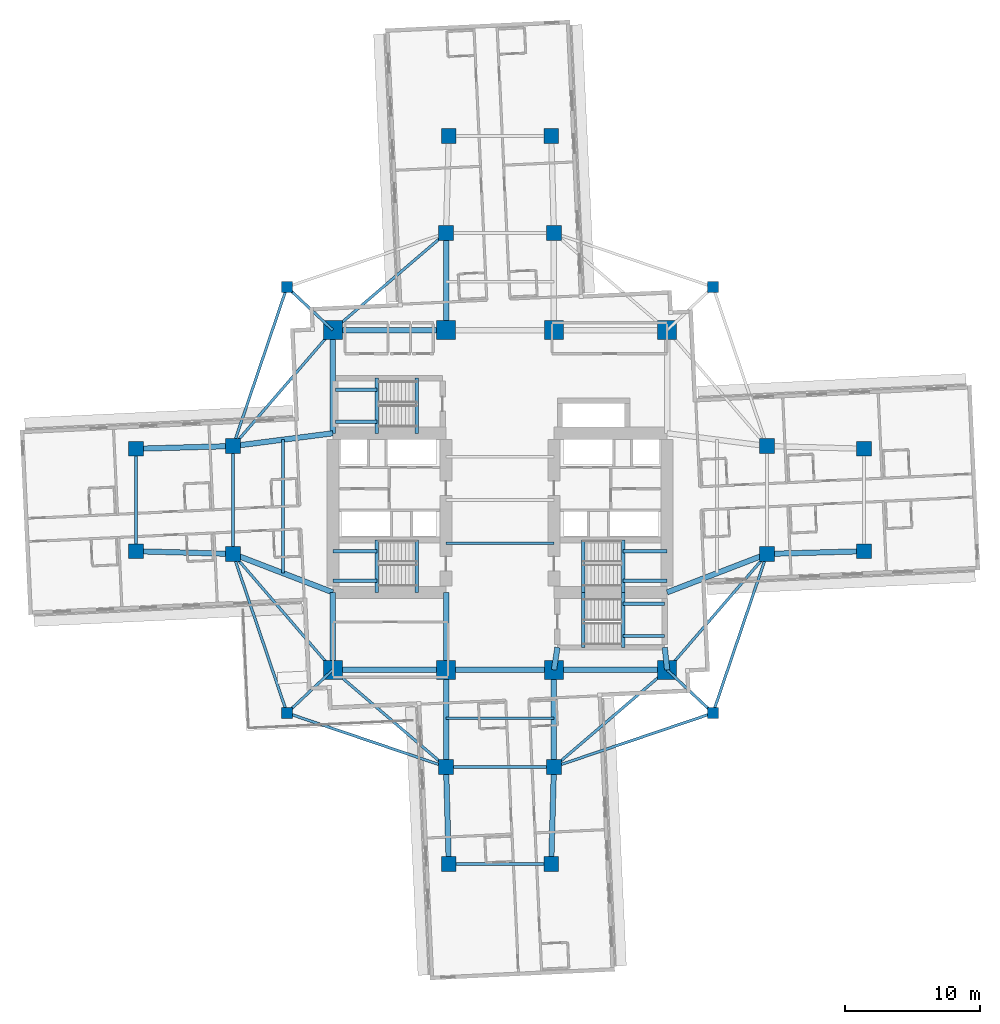
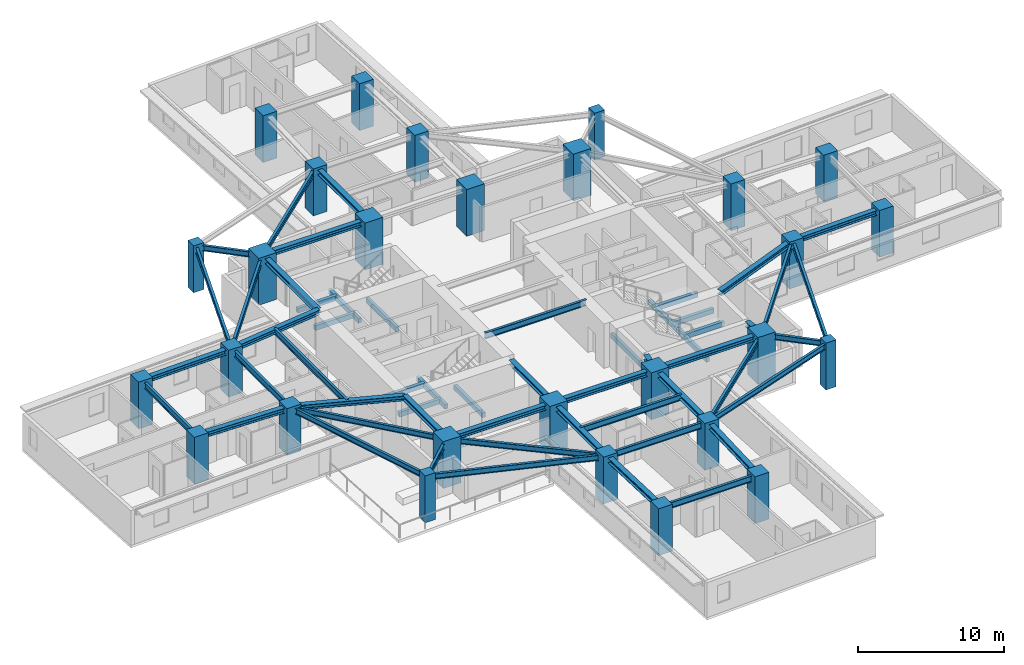
# One storey, part 1 of 14: 57 beams, 28 columns.
"""IFC4 building model written with IfcOpenShell, lengths in metres."""

from ifc_helpers import new_model, si_unit, direction, frame, origin, origin_2d, place, context, subcontext, project, spatial, rectangle, i_section, extrude, material, material_profile, profile_set, type_object, element, save


model = new_model("IFC4")

# Units and contexts
model_context = context("Model", 3, precision=1e-05, world=origin(), true_north=direction((0.0, 1.0)))
body_context = subcontext(model_context, "Body", "Model", "MODEL_VIEW")
ifc_project = project(units=[si_unit("LENGTHUNIT", "METRE"), si_unit("AREAUNIT", "SQUARE_METRE"), si_unit("VOLUMEUNIT", "CUBIC_METRE"), si_unit("PLANEANGLEUNIT", "RADIAN"), si_unit("MASSUNIT", "GRAM", prefix="KILO")], contexts=[model_context])

# Site, building, storey
site_placement = place(None, origin())
site = spatial("IfcSite", under=ifc_project, at=site_placement, CompositionType="ELEMENT")
building_placement = place(site_placement, origin())
building = spatial("IfcBuilding", under=site, at=building_placement, Name="Qingluan Cross Belvedere", CompositionType="ELEMENT")
storey_placement = place(building_placement, frame((0.0, 0.0, 52.199951171875)))
storey = spatial("IfcBuildingStorey", under=building, at=storey_placement, Name="L13", CompositionType="ELEMENT", Elevation=52.199951171875)

# Columns
ifc_material_1 = material(Name="Concrete C60", Category="concrete")
ifc_material_profile_1 = material_profile(ifc_material_1, rectangle(XDim=1.10009765625, YDim=1.10009765625, at=origin_2d()), Name="RC1100x1100")
ifc_profile_set_1 = profile_set([ifc_material_profile_1], Name="Concrete C60")
column_type_1 = type_object("IfcColumnType", Name="Column_RC1100x1100", PredefinedType="COLUMN", material=ifc_profile_set_1)
for number, where, z_axis, x_axis, name in (
    (1, (19.800048828125, -4.0, 0.0), (0.0, 0.0, 1.0), (1.0, 0.0, 0.0), "Arm column L13-EIA"),
    (2, (19.800048828125, 4.0, 0.0), (0.0, 0.0, 1.0), (1.0, 0.0, 0.0), "Arm column L13-EIB"),
    (3, (-19.800048828125, -4.0, 0.0), (0.0, 0.0, 1.0), (1.0, 0.0, 0.0), "Arm column L13-WIA"),
    (4, (-19.800048828125, 4.0, 0.0), (0.0, 0.0, 1.0), (1.0, 0.0, 0.0), "Arm column L13-WIB"),
    (5, (-4.0, -19.800048828125, 0.0), (0.0, 0.0, 1.0), (1.0, 0.0, 0.0), "Arm column L13-SIA"),
    (6, (4.0, -19.800048828125, 0.0), (0.0, 0.0, 1.0), (1.0, 0.0, 0.0), "Arm column L13-SIB"),
    (7, (-4.0, 19.800048828125, 0.0), (0.0, 0.0, 1.0), (1.0, 0.0, 0.0), "Arm column L13-NIA"),
    (8, (4.0, 19.800048828125, 0.0), (0.0, 0.0, 1.0), (1.0, 0.0, 0.0), "Arm column L13-NIB"),
    (9, (27.0, -3.800048828125, 0.0), (0.0, 0.0, 1.0), (1.0, 0.0, 0.0), "Arm column L13-EOA"),
    (10, (27.0, 3.800048828125, 0.0), (0.0, 0.0, 1.0), (1.0, 0.0, 0.0), "Arm column L13-EOB"),
    (11, (-27.0, -3.800048828125, 0.0), (0.0, 0.0, 1.0), (1.0, 0.0, 0.0), "Arm column L13-WOA"),
    (12, (-27.0, 3.800048828125, 0.0), (0.0, 0.0, 1.0), (1.0, 0.0, 0.0), "Arm column L13-WOB"),
    (13, (-3.800048828125, -27.0, 0.0), (0.0, 0.0, 1.0), (1.0, 0.0, 0.0), "Arm column L13-SOA"),
    (14, (3.800048828125, -27.0, 0.0), (0.0, 0.0, 1.0), (1.0, 0.0, 0.0), "Arm column L13-SOB"),
    (15, (-3.800048828125, 27.0, 0.0), (0.0, 0.0, 1.0), (1.0, 0.0, 0.0), "Arm column L13-NOA"),
    (16, (3.800048828125, 27.0, 0.0), (0.0, 0.0, 1.0), (1.0, 0.0, 0.0), "Arm column L13-NOB"),
):
    element("IfcColumn", number, at=place(storey_placement, frame(where, z_axis=z_axis, x_axis=x_axis)), inside=storey, type_object=column_type_1, Name=name, PredefinedType="COLUMN", context=body_context, shape_type="SweptSolid", body=[
        extrude(rectangle(XDim=1.10009765625, YDim=1.10009765625, at=origin_2d()), origin(), (0.0, 0.0, 1.0), 3.900146484375),
    ])
ifc_material_2 = material(Name="Concrete C70", Category="concrete")
ifc_material_profile_2 = material_profile(ifc_material_2, rectangle(XDim=1.39990234375, YDim=1.39990234375, at=origin_2d()), Name="RC1400x1400")
ifc_profile_set_2 = profile_set([ifc_material_profile_2], Name="Concrete C70")
column_type_2 = type_object("IfcColumnType", Name="Column_RC1400x1400", PredefinedType="COLUMN", material=ifc_profile_set_2)
for number, where, z_axis, x_axis, name in (
    (17, (-12.39990234375, -12.60009765625, 0.0), (0.0, 0.0, 1.0), (1.0, 0.0, 0.0), "Hub column L13-HC1"),
    (18, (12.39990234375, -12.60009765625, 0.0), (0.0, 0.0, 1.0), (1.0, 0.0, 0.0), "Hub column L13-HC2"),
    (19, (12.39990234375, 12.60009765625, 0.0), (0.0, 0.0, 1.0), (1.0, 0.0, 0.0), "Hub column L13-HC3"),
    (20, (-12.39990234375, 12.60009765625, 0.0), (0.0, 0.0, 1.0), (1.0, 0.0, 0.0), "Hub column L13-HC4"),
    (21, (-4.0, -12.60009765625, 0.0), (0.0, 0.0, 1.0), (1.0, 0.0, 0.0), "Hub column L13-HC5"),
    (22, (4.0, -12.60009765625, 0.0), (0.0, 0.0, 1.0), (1.0, 0.0, 0.0), "Hub column L13-HC6"),
    (23, (4.0, 12.60009765625, 0.0), (0.0, 0.0, 1.0), (1.0, 0.0, 0.0), "Hub column L13-HC7"),
    (24, (-4.0, 12.60009765625, 0.0), (0.0, 0.0, 1.0), (1.0, 0.0, 0.0), "Hub column L13-HC8"),
):
    element("IfcColumn", number, at=place(storey_placement, frame(where, z_axis=z_axis, x_axis=x_axis)), inside=storey, type_object=column_type_2, Name=name, PredefinedType="COLUMN", context=body_context, shape_type="SweptSolid", body=[
        extrude(rectangle(XDim=1.39990234375, YDim=1.39990234375, at=origin_2d()), origin(), (0.0, 0.0, 1.0), 3.900146484375),
    ])
ifc_material_3 = material(Name="Concrete C50", Category="concrete")
ifc_material_profile_3 = material_profile(ifc_material_3, rectangle(XDim=0.800048828125, YDim=0.800048828125, at=origin_2d()), Name="RC800x800")
ifc_profile_set_3 = profile_set([ifc_material_profile_3], Name="Concrete C50")
column_type_3 = type_object("IfcColumnType", Name="Column_RC800x800", PredefinedType="COLUMN", material=ifc_profile_set_3)
for number, where, z_axis, x_axis, name in (
    (25, (15.800048828125, 15.800048828125, 0.0), (0.0, 0.0, 1.0), (1.0, 0.0, 0.0), "Corner column L13-RNE"),
    (26, (-15.800048828125, 15.800048828125, 0.0), (0.0, 0.0, 1.0), (1.0, 0.0, 0.0), "Corner column L13-RNW"),
    (27, (-15.800048828125, -15.800048828125, 0.0), (0.0, 0.0, 1.0), (1.0, 0.0, 0.0), "Corner column L13-RSW"),
    (28, (15.800048828125, -15.800048828125, 0.0), (0.0, 0.0, 1.0), (1.0, 0.0, 0.0), "Corner column L13-RSE"),
):
    element("IfcColumn", number, at=place(storey_placement, frame(where, z_axis=z_axis, x_axis=x_axis)), inside=storey, type_object=column_type_3, Name=name, PredefinedType="COLUMN", context=body_context, shape_type="SweptSolid", body=[
        extrude(rectangle(XDim=0.800048828125, YDim=0.800048828125, at=origin_2d()), origin(), (0.0, 0.0, 1.0), 3.900146484375),
    ])

# Beams
ifc_material_4 = material(Name="Concrete C45", Category="concrete")
ifc_material_profile_4 = material_profile(ifc_material_4, rectangle(XDim=0.25, YDim=0.39990234375, at=origin_2d()), Name="RC250x400")
ifc_profile_set_4 = profile_set([ifc_material_profile_4], Name="Concrete C45")
beam_type_1 = type_object("IfcBeamType", Name="RC_Lintel_RC250x400", PredefinedType="LINTEL", material=ifc_profile_set_4)
for number, where, z_axis, x_axis, name in (
    (29, (-6.179931640625, -6.85009765625, -0.199951171875), (0.0, 1.0, 0.0), (-1.0, 0.0, 0.0), "Stair ST1 landing beam L13"),
    (30, (6.179931640625, -6.85009765625, -0.199951171875), (0.0, 1.0, 0.0), (-1.0, 0.0, 0.0), "Stair ST2 landing beam L13"),
):
    element("IfcBeam", number, at=place(storey_placement, frame(where, z_axis=z_axis, x_axis=x_axis)), inside=storey, type_object=beam_type_1, Name=name, PredefinedType="LINTEL", context=body_context, shape_type="SweptSolid", body=[
        extrude(rectangle(XDim=0.25, YDim=0.39990234375, at=origin_2d()), origin(), (0.0, 0.0, 1.0), 3.89013671875),
    ])
beam_1_placement = place(storey_placement, frame((-6.179931640625, 4.949951171875, -0.199951171875), z_axis=(0.0, 1.0, 0.0), x_axis=(-1.0, 0.0, 0.0)))
element("IfcBeam", 31, at=beam_1_placement, inside=storey, type_object=beam_type_1, Name="Stair ST3 landing beam L13", PredefinedType="LINTEL", context=body_context, shape_type="SweptSolid", body=[
    extrude(rectangle(XDim=0.25, YDim=0.39990234375, at=origin_2d()), origin(), (0.0, 0.0, 1.0), 4.090087890625),
])
beam_2_placement = place(storey_placement, frame((6.179931640625, -10.93994140625, -0.199951171875), z_axis=(0.0, 1.0, 0.0), x_axis=(-1.0, 0.0, 0.0)))
element("IfcBeam", 32, at=beam_2_placement, inside=storey, type_object=beam_type_1, Name="Stair ST4 landing beam L13", PredefinedType="LINTEL", context=body_context, shape_type="SweptSolid", body=[
    extrude(rectangle(XDim=0.25, YDim=0.39990234375, at=origin_2d()), origin(), (0.0, 0.0, 1.0), 4.08984375),
])
beam_3_placement = place(storey_placement, frame((-9.1298828125, -6.85009765625, 1.550048828125), z_axis=(0.0, 1.0, 0.0), x_axis=(-1.0, 0.0, 0.0)))
element("IfcBeam", 33, at=beam_3_placement, inside=storey, type_object=beam_type_1, Name="Stair ST1 beam A L13", PredefinedType="LINTEL", context=body_context, shape_type="SweptSolid", body=[
    extrude(rectangle(XDim=0.25, YDim=0.39990234375, at=origin_2d()), origin(), (0.0, 0.0, 1.0), 3.89013671875),
])
for number, where, z_axis, x_axis, name in (
    (34, (-12.39990234375, -6.0, 1.550048828125), (1.0, 0.0, 0.0), (0.0, 1.0, 0.0), "Stair ST1 beam B L13"),
    (35, (-12.39990234375, -3.81005859375, 1.550048828125), (1.0, 0.0, 0.0), (0.0, 1.0, 0.0), "Stair ST1 beam C L13"),
):
    element("IfcBeam", number, at=place(storey_placement, frame(where, z_axis=z_axis, x_axis=x_axis)), inside=storey, type_object=beam_type_1, Name=name, PredefinedType="LINTEL", context=body_context, shape_type="SweptSolid", body=[
        extrude(rectangle(XDim=0.25, YDim=0.39990234375, at=origin_2d()), origin(), (0.0, 0.0, 1.0), 3.27001953125),
    ])
beam_4_placement = place(storey_placement, frame((9.1298828125, -6.85009765625, 1.550048828125), z_axis=(0.0, 1.0, 0.0), x_axis=(-1.0, 0.0, 0.0)))
element("IfcBeam", 36, at=beam_4_placement, inside=storey, type_object=beam_type_1, Name="Stair ST2 beam A L13", PredefinedType="LINTEL", context=body_context, shape_type="SweptSolid", body=[
    extrude(rectangle(XDim=0.25, YDim=0.39990234375, at=origin_2d()), origin(), (0.0, 0.0, 1.0), 3.89013671875),
])
for number, where, z_axis, x_axis, name in (
    (37, (12.39990234375, -6.0, 1.550048828125), (-1.0, 0.0, 0.0), (0.0, -1.0, 0.0), "Stair ST2 beam B L13"),
    (38, (12.39990234375, -3.81005859375, 1.550048828125), (-1.0, 0.0, 0.0), (0.0, -1.0, 0.0), "Stair ST2 beam C L13"),
):
    element("IfcBeam", number, at=place(storey_placement, frame(where, z_axis=z_axis, x_axis=x_axis)), inside=storey, type_object=beam_type_1, Name=name, PredefinedType="LINTEL", context=body_context, shape_type="SweptSolid", body=[
        extrude(rectangle(XDim=0.25, YDim=0.39990234375, at=origin_2d()), origin(), (0.0, 0.0, 1.0), 3.27001953125),
    ])
beam_5_placement = place(storey_placement, frame((-9.1298828125, 4.949951171875, 1.550048828125), z_axis=(0.0, 1.0, 0.0), x_axis=(-1.0, 0.0, 0.0)))
element("IfcBeam", 39, at=beam_5_placement, inside=storey, type_object=beam_type_1, Name="Stair ST3 beam A L13", PredefinedType="LINTEL", context=body_context, shape_type="SweptSolid", body=[
    extrude(rectangle(XDim=0.25, YDim=0.39990234375, at=origin_2d()), origin(), (0.0, 0.0, 1.0), 4.090087890625),
])
for number, where, z_axis, x_axis, name in (
    (40, (-12.219970703125, 5.800048828125, 1.550048828125), (1.0, 0.0, 0.0), (0.0, 1.0, 0.0), "Stair ST3 beam B L13"),
    (41, (-12.219970703125, 8.18994140625, 1.550048828125), (1.0, 0.0, 0.0), (0.0, 1.0, 0.0), "Stair ST3 beam C L13"),
):
    element("IfcBeam", number, at=place(storey_placement, frame(where, z_axis=z_axis, x_axis=x_axis)), inside=storey, type_object=beam_type_1, Name=name, PredefinedType="LINTEL", context=body_context, shape_type="SweptSolid", body=[
        extrude(rectangle(XDim=0.25, YDim=0.39990234375, at=origin_2d()), origin(), (0.0, 0.0, 1.0), 3.090087890625),
    ])
beam_6_placement = place(storey_placement, frame((9.1298828125, -10.93994140625, 1.550048828125), z_axis=(0.0, 1.0, 0.0), x_axis=(-1.0, 0.0, 0.0)))
element("IfcBeam", 42, at=beam_6_placement, inside=storey, type_object=beam_type_1, Name="Stair ST4 beam A L13", PredefinedType="LINTEL", context=body_context, shape_type="SweptSolid", body=[
    extrude(rectangle(XDim=0.25, YDim=0.39990234375, at=origin_2d()), origin(), (0.0, 0.0, 1.0), 4.08984375),
])
for number, where, z_axis, x_axis, name in (
    (43, (12.219970703125, -10.090087890625, 1.550048828125), (-1.0, 0.0, 0.0), (0.0, -1.0, 0.0), "Stair ST4 beam B L13"),
    (44, (12.219970703125, -7.699951171875, 1.550048828125), (-1.0, 0.0, 0.0), (0.0, -1.0, 0.0), "Stair ST4 beam C L13"),
):
    element("IfcBeam", number, at=place(storey_placement, frame(where, z_axis=z_axis, x_axis=x_axis)), inside=storey, type_object=beam_type_1, Name=name, PredefinedType="LINTEL", context=body_context, shape_type="SweptSolid", body=[
        extrude(rectangle(XDim=0.25, YDim=0.39990234375, at=origin_2d()), origin(), (0.0, 0.0, 1.0), 3.090087890625),
    ])
ifc_material_5 = material(Name="Steel Q420GJB", Category="steel")
ifc_material_profile_5 = material_profile(ifc_material_5, i_section(OverallWidth=0.199951171875, OverallDepth=0.449951171875, WebThickness=0.009033203125, FlangeThickness=0.013916015625, FilletRadius=0.01611328125, at=origin_2d()), Name="HN450x200x9x14")
ifc_profile_set_5 = profile_set([ifc_material_profile_5], Name="Steel Q420GJB")
beam_type_2 = type_object("IfcBeamType", Name="Steel_Beam_HN450x200x9x14", PredefinedType="JOIST", material=ifc_profile_set_5)
beam_7_placement = place(storey_placement, frame((-12.39990234375, 12.60009765625, 3.47509765625), z_axis=(-0.728219948308, 0.685343495546, 0.0), x_axis=(-0.685343495546, -0.728219948308, 0.0)))
element("IfcBeam", 45, at=beam_7_placement, inside=storey, type_object=beam_type_2, Name="Corner beam 1 L13-RNW", PredefinedType="JOIST", context=body_context, shape_type="SweptSolid", body=[
    extrude(i_section(OverallWidth=0.199951171875, OverallDepth=0.449951171875, WebThickness=0.009033203125, FlangeThickness=0.013916015625, FilletRadius=0.01611328125, at=origin_2d()), origin(), (0.0, 0.0, 1.0), 4.669189453125),
])
beam_8_placement = place(storey_placement, frame((-15.800048828125, 15.800048828125, 3.47509765625), z_axis=(-0.321038089628, -0.947066283324, 0.0), x_axis=(0.947066283324, -0.321038089628, 0.0)))
element("IfcBeam", 46, at=beam_8_placement, inside=storey, type_object=beam_type_2, Name="Corner beam 3 L13-RNW", PredefinedType="JOIST", context=body_context, shape_type="SweptSolid", body=[
    extrude(i_section(OverallWidth=0.199951171875, OverallDepth=0.449951171875, WebThickness=0.009033203125, FlangeThickness=0.013916015625, FilletRadius=0.01611328125, at=origin_2d()), origin(), (0.0, 0.0, 1.0), 12.45947265625),
])
beam_9_placement = place(storey_placement, frame((-12.39990234375, 12.60009765625, 3.47509765625), z_axis=(-0.652245077546, -0.75800815221, 0.0), x_axis=(0.75800815221, -0.652245077546, 0.0)))
element("IfcBeam", 47, at=beam_9_placement, inside=storey, type_object=beam_type_2, Name="Corner beam 4 L13-RNW", PredefinedType="JOIST", context=body_context, shape_type="SweptSolid", body=[
    extrude(i_section(OverallWidth=0.199951171875, OverallDepth=0.449951171875, WebThickness=0.009033203125, FlangeThickness=0.013916015625, FilletRadius=0.01611328125, at=origin_2d()), origin(), (0.0, 0.0, 1.0), 11.345703125),
])
beam_10_placement = place(storey_placement, frame((-12.39990234375, 12.60009765625, 3.47509765625), z_axis=(0.759255044656, 0.650793190779, 0.0), x_axis=(-0.650793190779, 0.759255044656, 0.0)))
element("IfcBeam", 48, at=beam_10_placement, inside=storey, type_object=beam_type_2, Name="Corner beam 5 L13-RNW", PredefinedType="JOIST", context=body_context, shape_type="SweptSolid", body=[
    extrude(i_section(OverallWidth=0.199951171875, OverallDepth=0.449951171875, WebThickness=0.009033203125, FlangeThickness=0.013916015625, FilletRadius=0.01611328125, at=origin_2d()), origin(), (0.0, 0.0, 1.0), 11.063232421875),
])
beam_11_placement = place(storey_placement, frame((-12.39990234375, -12.60009765625, 3.455078125), z_axis=(-0.728219948308, -0.685343495546, 0.0), x_axis=(0.685343495546, -0.728219948308, 0.0)))
element("IfcBeam", 49, at=beam_11_placement, inside=storey, type_object=beam_type_2, Name="Corner beam 1 L13-RSW", PredefinedType="JOIST", context=body_context, shape_type="SweptSolid", body=[
    extrude(i_section(OverallWidth=0.199951171875, OverallDepth=0.449951171875, WebThickness=0.009033203125, FlangeThickness=0.013916015625, FilletRadius=0.01611328125, at=origin_2d()), origin(), (0.0, 0.0, 1.0), 4.669189453125),
])
for number, where, z_axis, x_axis, name in (
    (50, (-15.800048828125, -15.800048828125, 3.455078125), (0.947066283324, -0.321038089628, 0.0), (0.321038089628, 0.947066283324, 0.0), "Corner beam 2 L13-RSW"),
    (51, (-15.800048828125, -15.800048828125, 3.455078125), (-0.321038089628, 0.947066283324, 0.0), (-0.947066283324, -0.321038089628, 0.0), "Corner beam 3 L13-RSW"),
):
    element("IfcBeam", number, at=place(storey_placement, frame(where, z_axis=z_axis, x_axis=x_axis)), inside=storey, type_object=beam_type_2, Name=name, PredefinedType="JOIST", context=body_context, shape_type="SweptSolid", body=[
        extrude(i_section(OverallWidth=0.199951171875, OverallDepth=0.449951171875, WebThickness=0.009033203125, FlangeThickness=0.013916015625, FilletRadius=0.01611328125, at=origin_2d()), origin(), (0.0, 0.0, 1.0), 12.45947265625),
    ])
beam_12_placement = place(storey_placement, frame((-12.39990234375, -12.60009765625, 3.455078125), z_axis=(-0.652245077546, 0.75800815221, 0.0), x_axis=(-0.75800815221, -0.652245077546, 0.0)))
element("IfcBeam", 52, at=beam_12_placement, inside=storey, type_object=beam_type_2, Name="Corner beam 4 L13-RSW", PredefinedType="JOIST", context=body_context, shape_type="SweptSolid", body=[
    extrude(i_section(OverallWidth=0.199951171875, OverallDepth=0.449951171875, WebThickness=0.009033203125, FlangeThickness=0.013916015625, FilletRadius=0.01611328125, at=origin_2d()), origin(), (0.0, 0.0, 1.0), 11.345703125),
])
beam_13_placement = place(storey_placement, frame((-12.39990234375, -12.60009765625, 3.455078125), z_axis=(0.759255044656, -0.650793190779, 0.0), x_axis=(0.650793190779, 0.759255044656, 0.0)))
element("IfcBeam", 53, at=beam_13_placement, inside=storey, type_object=beam_type_2, Name="Corner beam 5 L13-RSW", PredefinedType="JOIST", context=body_context, shape_type="SweptSolid", body=[
    extrude(i_section(OverallWidth=0.199951171875, OverallDepth=0.449951171875, WebThickness=0.009033203125, FlangeThickness=0.013916015625, FilletRadius=0.01611328125, at=origin_2d()), origin(), (0.0, 0.0, 1.0), 11.063232421875),
])
beam_14_placement = place(storey_placement, frame((12.39990234375, -12.60009765625, 3.47509765625), z_axis=(0.728219948308, -0.685343495546, 0.0), x_axis=(0.685343495546, 0.728219948308, 0.0)))
element("IfcBeam", 54, at=beam_14_placement, inside=storey, type_object=beam_type_2, Name="Corner beam 1 L13-RSE", PredefinedType="JOIST", context=body_context, shape_type="SweptSolid", body=[
    extrude(i_section(OverallWidth=0.199951171875, OverallDepth=0.449951171875, WebThickness=0.009033203125, FlangeThickness=0.013916015625, FilletRadius=0.01611328125, at=origin_2d()), origin(), (0.0, 0.0, 1.0), 4.669189453125),
])
for number, where, z_axis, x_axis, name in (
    (55, (15.800048828125, -15.800048828125, 3.47509765625), (-0.947066283324, -0.321038089628, 0.0), (0.321038089628, -0.947066283324, 0.0), "Corner beam 2 L13-RSE"),
    (56, (15.800048828125, -15.800048828125, 3.47509765625), (0.321038089628, 0.947066283324, 0.0), (-0.947066283324, 0.321038089628, 0.0), "Corner beam 3 L13-RSE"),
):
    element("IfcBeam", number, at=place(storey_placement, frame(where, z_axis=z_axis, x_axis=x_axis)), inside=storey, type_object=beam_type_2, Name=name, PredefinedType="JOIST", context=body_context, shape_type="SweptSolid", body=[
        extrude(i_section(OverallWidth=0.199951171875, OverallDepth=0.449951171875, WebThickness=0.009033203125, FlangeThickness=0.013916015625, FilletRadius=0.01611328125, at=origin_2d()), origin(), (0.0, 0.0, 1.0), 12.45947265625),
    ])
beam_15_placement = place(storey_placement, frame((12.39990234375, -12.60009765625, 3.47509765625), z_axis=(0.652245077546, 0.75800815221, 0.0), x_axis=(-0.75800815221, 0.652245077546, 0.0)))
element("IfcBeam", 57, at=beam_15_placement, inside=storey, type_object=beam_type_2, Name="Corner beam 4 L13-RSE", PredefinedType="JOIST", context=body_context, shape_type="SweptSolid", body=[
    extrude(i_section(OverallWidth=0.199951171875, OverallDepth=0.449951171875, WebThickness=0.009033203125, FlangeThickness=0.013916015625, FilletRadius=0.01611328125, at=origin_2d()), origin(), (0.0, 0.0, 1.0), 11.345703125),
])
beam_16_placement = place(storey_placement, frame((12.39990234375, -12.60009765625, 3.47509765625), z_axis=(-0.759255044656, -0.650793190779, 0.0), x_axis=(0.650793190779, -0.759255044656, 0.0)))
element("IfcBeam", 58, at=beam_16_placement, inside=storey, type_object=beam_type_2, Name="Corner beam 5 L13-RSE", PredefinedType="JOIST", context=body_context, shape_type="SweptSolid", body=[
    extrude(i_section(OverallWidth=0.199951171875, OverallDepth=0.449951171875, WebThickness=0.009033203125, FlangeThickness=0.013916015625, FilletRadius=0.01611328125, at=origin_2d()), origin(), (0.0, 0.0, 1.0), 11.063232421875),
])
ifc_material_6 = material(Name="Steel Q420GJB", Category="steel")
ifc_material_profile_6 = material_profile(ifc_material_6, i_section(OverallWidth=0.199951171875, OverallDepth=0.5, WebThickness=0.010009765625, FlangeThickness=0.01611328125, FilletRadius=0.01611328125, at=origin_2d()), Name="HN500x200x10x16")
ifc_profile_set_6 = profile_set([ifc_material_profile_6], Name="Steel Q420GJB")
beam_type_3 = type_object("IfcBeamType", Name="Steel_Beam_HN500x200x10x16", PredefinedType="JOIST", material=ifc_profile_set_6)
for number, where, z_axis, x_axis, name in (
    (59, (-4.0, -3.199951171875, 3.449951171875), (1.0, 0.0, 0.0), (0.0, 1.0, 0.0), "Hall beam L13-CH1"),
    (60, (-19.800048828125, -4.0, 3.449951171875), (0.0, 1.0, 0.0), (-1.0, 0.0, 0.0), "Arm W tie L13"),
):
    element("IfcBeam", number, at=place(storey_placement, frame(where, z_axis=z_axis, x_axis=x_axis)), inside=storey, type_object=beam_type_3, Name=name, PredefinedType="JOIST", context=body_context, shape_type="SweptSolid", body=[
        extrude(i_section(OverallWidth=0.199951171875, OverallDepth=0.5, WebThickness=0.010009765625, FlangeThickness=0.01611328125, FilletRadius=0.01611328125, at=origin_2d()), origin(), (0.0, 0.0, 1.0), 8.0),
    ])
beam_17_placement = place(storey_placement, frame((-16.10009765625, -5.425048828125, 3.449951171875), z_axis=(0.0, 1.0, 0.0), x_axis=(-1.0, 0.0, 0.0)))
element("IfcBeam", 61, at=beam_17_placement, inside=storey, type_object=beam_type_3, Name="Arm W beam L13", PredefinedType="JOIST", context=body_context, shape_type="SweptSolid", body=[
    extrude(i_section(OverallWidth=0.199951171875, OverallDepth=0.5, WebThickness=0.010009765625, FlangeThickness=0.01611328125, FilletRadius=0.01611328125, at=origin_2d()), origin(), (0.0, 0.0, 1.0), 9.900146484375),
])
beam_18_placement = place(storey_placement, frame((-27.0, -3.800048828125, 3.449951171875), z_axis=(0.0, 1.0, 0.0), x_axis=(-1.0, 0.0, 0.0)))
element("IfcBeam", 62, at=beam_18_placement, inside=storey, type_object=beam_type_3, Name="Arm W tip transverse beam L13", PredefinedType="JOIST", context=body_context, shape_type="SweptSolid", body=[
    extrude(i_section(OverallWidth=0.199951171875, OverallDepth=0.5, WebThickness=0.010009765625, FlangeThickness=0.01611328125, FilletRadius=0.01611328125, at=origin_2d()), origin(), (0.0, 0.0, 1.0), 7.60009765625),
])
for number, where, z_axis, x_axis, name in (
    (63, (-4.0, -19.800048828125, 3.449951171875), (1.0, 0.0, 0.0), (0.0, 1.0, 0.0), "Arm S tie L13"),
    (64, (-4.0, -16.199951171875, 3.449951171875), (1.0, 0.0, 0.0), (0.0, 1.0, 0.0), "Arm S beam L13"),
):
    element("IfcBeam", number, at=place(storey_placement, frame(where, z_axis=z_axis, x_axis=x_axis)), inside=storey, type_object=beam_type_3, Name=name, PredefinedType="JOIST", context=body_context, shape_type="SweptSolid", body=[
        extrude(i_section(OverallWidth=0.199951171875, OverallDepth=0.5, WebThickness=0.010009765625, FlangeThickness=0.01611328125, FilletRadius=0.01611328125, at=origin_2d()), origin(), (0.0, 0.0, 1.0), 8.0),
    ])
beam_19_placement = place(storey_placement, frame((-3.800048828125, -27.0, 3.449951171875), z_axis=(1.0, 0.0, 0.0), x_axis=(0.0, 1.0, 0.0)))
element("IfcBeam", 65, at=beam_19_placement, inside=storey, type_object=beam_type_3, Name="Arm S tip transverse beam L13", PredefinedType="JOIST", context=body_context, shape_type="SweptSolid", body=[
    extrude(i_section(OverallWidth=0.199951171875, OverallDepth=0.5, WebThickness=0.010009765625, FlangeThickness=0.01611328125, FilletRadius=0.01611328125, at=origin_2d()), origin(), (0.0, 0.0, 1.0), 7.60009765625),
])
ifc_material_7 = material(Name="Steel Q420GJB", Category="steel")
ifc_material_profile_7 = material_profile(ifc_material_7, i_section(OverallWidth=0.39990234375, OverallDepth=0.39990234375, WebThickness=0.012939453125, FlangeThickness=0.02099609375, FilletRadius=0.02197265625, at=origin_2d()), Name="HW400x400x13x21")
ifc_profile_set_7 = profile_set([ifc_material_profile_7], Name="Steel Q420GJB")
beam_type_4 = type_object("IfcBeamType", Name="Steel_Girder_HW400x400x13x21", PredefinedType="USERDEFINED", material=ifc_profile_set_7)
beam_20_placement = place(storey_placement, frame((-12.39990234375, -12.60009765625, 3.5), z_axis=(1.0, 0.0, 0.0), x_axis=(0.0, 1.0, 0.0)))
element("IfcBeam", 66, at=beam_20_placement, inside=storey, type_object=beam_type_4, Name="Hub girder L13-HG-S1", ObjectType="GIRDER", PredefinedType="USERDEFINED", context=body_context, shape_type="SweptSolid", body=[
    extrude(i_section(OverallWidth=0.39990234375, OverallDepth=0.39990234375, WebThickness=0.012939453125, FlangeThickness=0.02099609375, FilletRadius=0.02197265625, at=origin_2d()), origin(), (0.0, 0.0, 1.0), 8.39990234375),
])
beam_21_placement = place(storey_placement, frame((-4.0, -12.60009765625, 3.5), z_axis=(1.0, 0.0, 0.0), x_axis=(0.0, 1.0, 0.0)))
element("IfcBeam", 67, at=beam_21_placement, inside=storey, type_object=beam_type_4, Name="Hub girder L13-HG-S2", ObjectType="GIRDER", PredefinedType="USERDEFINED", context=body_context, shape_type="SweptSolid", body=[
    extrude(i_section(OverallWidth=0.39990234375, OverallDepth=0.39990234375, WebThickness=0.012939453125, FlangeThickness=0.02099609375, FilletRadius=0.02197265625, at=origin_2d()), origin(), (0.0, 0.0, 1.0), 8.0),
])
for number, where, z_axis, x_axis, name in (
    (68, (4.0, -12.60009765625, 3.5), (1.0, 0.0, 0.0), (0.0, 1.0, 0.0), "Hub girder L13-HG-S3"),
    (69, (-12.39990234375, 12.60009765625, 3.5), (1.0, 0.0, 0.0), (0.0, 1.0, 0.0), "Hub girder L13-HG-N1"),
):
    element("IfcBeam", number, at=place(storey_placement, frame(where, z_axis=z_axis, x_axis=x_axis)), inside=storey, type_object=beam_type_4, Name=name, ObjectType="GIRDER", PredefinedType="USERDEFINED", context=body_context, shape_type="SweptSolid", body=[
        extrude(i_section(OverallWidth=0.39990234375, OverallDepth=0.39990234375, WebThickness=0.012939453125, FlangeThickness=0.02099609375, FilletRadius=0.02197265625, at=origin_2d()), origin(), (0.0, 0.0, 1.0), 8.39990234375),
    ])
beam_22_placement = place(storey_placement, frame((-12.39990234375, -12.60009765625, 3.5), z_axis=(0.0, 1.0, 0.0), x_axis=(-1.0, 0.0, 0.0)))
element("IfcBeam", 70, at=beam_22_placement, inside=storey, type_object=beam_type_4, Name="Hub girder L13-HG-W1", ObjectType="GIRDER", PredefinedType="USERDEFINED", context=body_context, shape_type="SweptSolid", body=[
    extrude(i_section(OverallWidth=0.39990234375, OverallDepth=0.39990234375, WebThickness=0.012939453125, FlangeThickness=0.02099609375, FilletRadius=0.02197265625, at=origin_2d()), origin(), (0.0, 0.0, 1.0), 5.75),
])
beam_23_placement = place(storey_placement, frame((-12.39990234375, 4.949951171875, 3.5), z_axis=(0.0, 1.0, 0.0), x_axis=(-1.0, 0.0, 0.0)))
element("IfcBeam", 71, at=beam_23_placement, inside=storey, type_object=beam_type_4, Name="Hub girder L13-HG-W2", ObjectType="GIRDER", PredefinedType="USERDEFINED", context=body_context, shape_type="SweptSolid", body=[
    extrude(i_section(OverallWidth=0.39990234375, OverallDepth=0.39990234375, WebThickness=0.012939453125, FlangeThickness=0.02099609375, FilletRadius=0.02197265625, at=origin_2d()), origin(), (0.0, 0.0, 1.0), 7.650146484375),
])
beam_24_placement = place(storey_placement, frame((12.39990234375, -12.60009765625, 3.5), z_axis=(-0.107751337451, 0.994177876075, 0.0), x_axis=(-0.994177876075, -0.107751337451, 0.0)))
element("IfcBeam", 72, at=beam_24_placement, inside=storey, type_object=beam_type_4, Name="Hub girder L13-HG-E1", ObjectType="GIRDER", PredefinedType="USERDEFINED", context=body_context, shape_type="SweptSolid", body=[
    extrude(i_section(OverallWidth=0.39990234375, OverallDepth=0.39990234375, WebThickness=0.012939453125, FlangeThickness=0.02099609375, FilletRadius=0.02197265625, at=origin_2d()), origin(), (0.0, 0.0, 1.0), 1.669921875),
])
beam_25_placement = place(storey_placement, frame((-4.0, -12.60009765625, 3.5), z_axis=(0.0, 1.0, 0.0), x_axis=(-1.0, 0.0, 0.0)))
element("IfcBeam", 73, at=beam_25_placement, inside=storey, type_object=beam_type_4, Name="Hub girder L13-HG-CW", ObjectType="GIRDER", PredefinedType="USERDEFINED", context=body_context, shape_type="SweptSolid", body=[
    extrude(i_section(OverallWidth=0.39990234375, OverallDepth=0.39990234375, WebThickness=0.012939453125, FlangeThickness=0.02099609375, FilletRadius=0.02197265625, at=origin_2d()), origin(), (0.0, 0.0, 1.0), 5.75),
])
beam_26_placement = place(storey_placement, frame((4.0, -12.60009765625, 3.5), z_axis=(0.154731433337, 0.987956569662, 0.0), x_axis=(-0.987956569662, 0.154731433337, 0.0)))
element("IfcBeam", 74, at=beam_26_placement, inside=storey, type_object=beam_type_4, Name="Hub girder L13-HG-CE", ObjectType="GIRDER", PredefinedType="USERDEFINED", context=body_context, shape_type="SweptSolid", body=[
    extrude(i_section(OverallWidth=0.39990234375, OverallDepth=0.39990234375, WebThickness=0.012939453125, FlangeThickness=0.02099609375, FilletRadius=0.02197265625, at=origin_2d()), origin(), (0.0, 0.0, 1.0), 1.680419921875),
])
beam_27_placement = place(storey_placement, frame((12.39990234375, -6.85009765625, 3.5), z_axis=(0.933181258889, 0.359406090735, 0.0), x_axis=(-0.359406090735, 0.933181258889, 0.0)))
element("IfcBeam", 75, at=beam_27_placement, inside=storey, type_object=beam_type_4, Name="Arm E radial girder A L13", ObjectType="GIRDER", PredefinedType="USERDEFINED", context=body_context, shape_type="SweptSolid", body=[
    extrude(i_section(OverallWidth=0.39990234375, OverallDepth=0.39990234375, WebThickness=0.012939453125, FlangeThickness=0.02099609375, FilletRadius=0.02197265625, at=origin_2d()), origin(), (0.0, 0.0, 1.0), 7.929931640625),
])
beam_28_placement = place(storey_placement, frame((19.800048828125, -4.0, 3.5), z_axis=(0.999614603568, 0.027760481514, 0.0), x_axis=(-0.027760481514, 0.999614603568, 0.0)))
element("IfcBeam", 76, at=beam_28_placement, inside=storey, type_object=beam_type_4, Name="Arm E outer radial girder A L13", ObjectType="GIRDER", PredefinedType="USERDEFINED", context=body_context, shape_type="SweptSolid", body=[
    extrude(i_section(OverallWidth=0.39990234375, OverallDepth=0.39990234375, WebThickness=0.012939453125, FlangeThickness=0.02099609375, FilletRadius=0.02197265625, at=origin_2d()), origin(), (0.0, 0.0, 1.0), 7.20263671875),
])
beam_29_placement = place(storey_placement, frame((-12.39990234375, -6.85009765625, 3.5), z_axis=(-0.933181258889, 0.359406090735, 0.0), x_axis=(-0.359406090735, -0.933181258889, 0.0)))
element("IfcBeam", 77, at=beam_29_placement, inside=storey, type_object=beam_type_4, Name="Arm W radial girder A L13", ObjectType="GIRDER", PredefinedType="USERDEFINED", context=body_context, shape_type="SweptSolid", body=[
    extrude(i_section(OverallWidth=0.39990234375, OverallDepth=0.39990234375, WebThickness=0.012939453125, FlangeThickness=0.02099609375, FilletRadius=0.02197265625, at=origin_2d()), origin(), (0.0, 0.0, 1.0), 7.929931640625),
])
beam_30_placement = place(storey_placement, frame((-12.39990234375, 4.949951171875, 3.5), z_axis=(-0.991861120628, -0.12732445714, 0.0), x_axis=(0.12732445714, -0.991861120628, 0.0)))
element("IfcBeam", 78, at=beam_30_placement, inside=storey, type_object=beam_type_4, Name="Arm W radial girder B L13", ObjectType="GIRDER", PredefinedType="USERDEFINED", context=body_context, shape_type="SweptSolid", body=[
    extrude(i_section(OverallWidth=0.39990234375, OverallDepth=0.39990234375, WebThickness=0.012939453125, FlangeThickness=0.02099609375, FilletRadius=0.02197265625, at=origin_2d()), origin(), (0.0, 0.0, 1.0), 7.4609375),
])
for number, where, z_axis, x_axis, name in (
    (79, (-19.800048828125, -4.0, 3.5), (-0.999614603568, 0.027760481514, 0.0), (-0.027760481514, -0.999614603568, 0.0), "Arm W outer radial girder A L13"),
    (80, (-19.800048828125, 4.0, 3.5), (-0.999614603568, -0.027760481514, 0.0), (0.027760481514, -0.999614603568, 0.0), "Arm W outer radial girder B L13"),
):
    element("IfcBeam", number, at=place(storey_placement, frame(where, z_axis=z_axis, x_axis=x_axis)), inside=storey, type_object=beam_type_4, Name=name, ObjectType="GIRDER", PredefinedType="USERDEFINED", context=body_context, shape_type="SweptSolid", body=[
        extrude(i_section(OverallWidth=0.39990234375, OverallDepth=0.39990234375, WebThickness=0.012939453125, FlangeThickness=0.02099609375, FilletRadius=0.02197265625, at=origin_2d()), origin(), (0.0, 0.0, 1.0), 7.20263671875),
    ])
for number, where, z_axis, x_axis, name in (
    (81, (-4.0, 12.60009765625, 3.5), (0.0, 1.0, 0.0), (-1.0, 0.0, 0.0), "Arm N radial girder A L13"),
    (82, (-4.0, -12.60009765625, 3.5), (0.0, -1.0, 0.0), (1.0, 0.0, 0.0), "Arm S radial girder A L13"),
    (83, (4.0, -12.60009765625, 3.5), (0.0, -1.0, 0.0), (1.0, 0.0, 0.0), "Arm S radial girder B L13"),
):
    element("IfcBeam", number, at=place(storey_placement, frame(where, z_axis=z_axis, x_axis=x_axis)), inside=storey, type_object=beam_type_4, Name=name, ObjectType="GIRDER", PredefinedType="USERDEFINED", context=body_context, shape_type="SweptSolid", body=[
        extrude(i_section(OverallWidth=0.39990234375, OverallDepth=0.39990234375, WebThickness=0.012939453125, FlangeThickness=0.02099609375, FilletRadius=0.02197265625, at=origin_2d()), origin(), (0.0, 0.0, 1.0), 7.199951171875),
    ])
for number, where, z_axis, x_axis, name in (
    (84, (-4.0, -19.800048828125, 3.5), (0.027760481514, -0.999614603568, 0.0), (0.999614603568, 0.027760481514, 0.0), "Arm S outer radial girder A L13"),
    (85, (4.0, -19.800048828125, 3.5), (-0.027760481514, -0.999614603568, 0.0), (0.999614603568, -0.027760481514, 0.0), "Arm S outer radial girder B L13"),
):
    element("IfcBeam", number, at=place(storey_placement, frame(where, z_axis=z_axis, x_axis=x_axis)), inside=storey, type_object=beam_type_4, Name=name, ObjectType="GIRDER", PredefinedType="USERDEFINED", context=body_context, shape_type="SweptSolid", body=[
        extrude(i_section(OverallWidth=0.39990234375, OverallDepth=0.39990234375, WebThickness=0.012939453125, FlangeThickness=0.02099609375, FilletRadius=0.02197265625, at=origin_2d()), origin(), (0.0, 0.0, 1.0), 7.20263671875),
    ])

save(model, "model.ifc")
